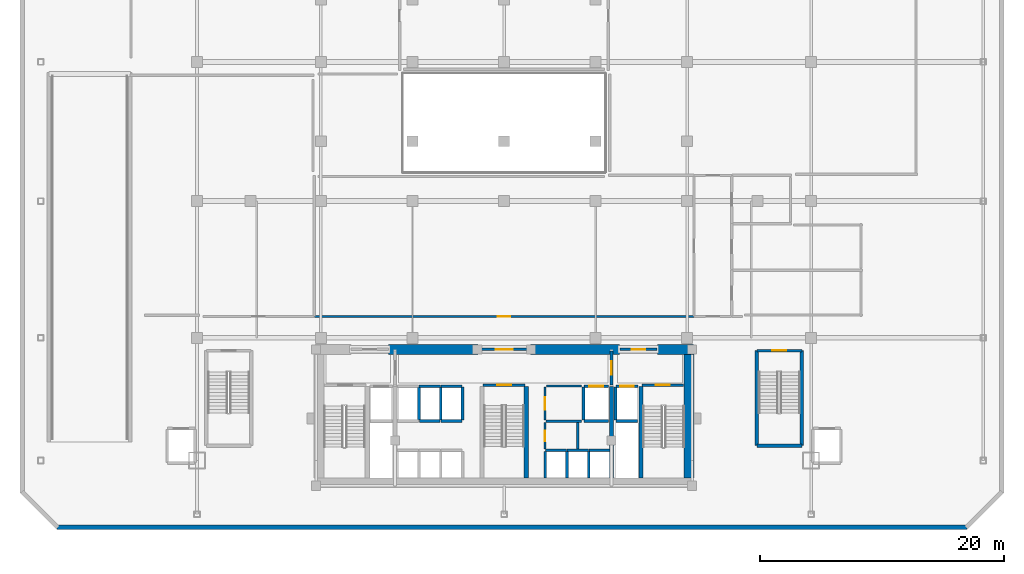
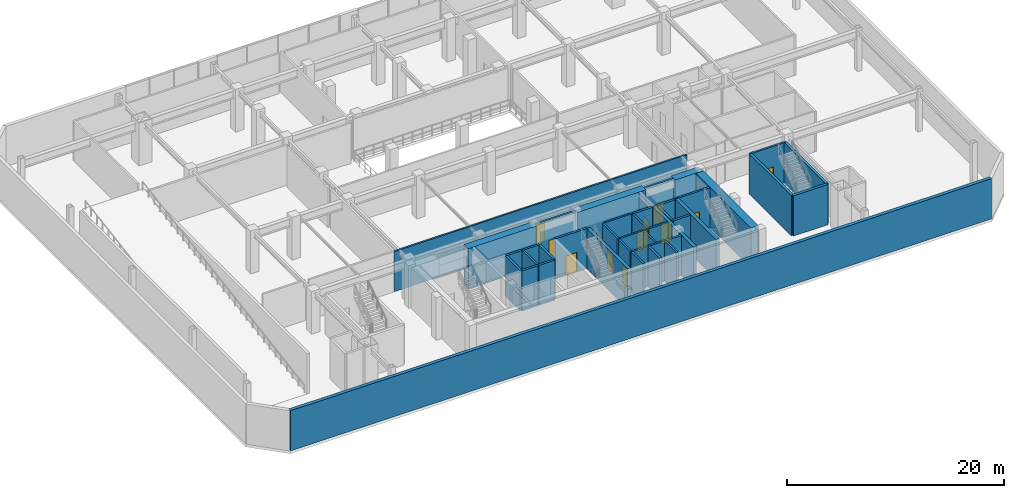
# One storey, part 12 of 16: 42 walls, 11 doors, 11 openings.
"""IFC4 building model written with IfcOpenShell, lengths in metres."""

from ifc_helpers import new_model, si_unit, direction, frame, frame_2d, origin, place, context, subcontext, project, spatial, rectangle, extrude, material, layer, layer_set, type_object, element, fill, save


model = new_model("IFC4")

# Units and contexts
model_context = context("Model", 3, precision=1e-05, world=origin(), true_north=direction((0.0, 1.0)))
body_context = subcontext(model_context, "Body", "Model", "MODEL_VIEW")
ifc_project = project(units=[si_unit("LENGTHUNIT", "METRE"), si_unit("AREAUNIT", "SQUARE_METRE"), si_unit("VOLUMEUNIT", "CUBIC_METRE"), si_unit("PLANEANGLEUNIT", "RADIAN"), si_unit("MASSUNIT", "GRAM", prefix="KILO")], contexts=[model_context])

# Site, building, storey
site_placement = place(None, origin())
site = spatial("IfcSite", under=ifc_project, at=site_placement, CompositionType="ELEMENT")
building_placement = place(site_placement, origin())
building = spatial("IfcBuilding", under=site, at=building_placement, Name="Ventersveld Concourse Tower", CompositionType="ELEMENT")
storey_placement = place(building_placement, frame((0.0, 0.0, 10.199951171875)))
storey = spatial("IfcBuildingStorey", under=building, at=storey_placement, Name="L02", CompositionType="ELEMENT", Elevation=10.199951171875)

# Walls
ifc_material_1 = material(Name="Concrete C60/75", Category="concrete")
ifc_layer_1 = layer(ifc_material_1, 0.35009765625)
ifc_layer_set_1 = layer_set([ifc_layer_1], Name="Concrete C60/75")
wall_type_1 = type_object("IfcWallType", Name="WL-CORE-350L", PredefinedType="SHEAR", material=ifc_layer_set_1)
for number, where, z_axis, x_axis, name in (
    (1, (30.56005859375, 0.919921875, 0.0), (0.0, 0.0, 1.0), (0.0, 1.0, 0.0), "L02 Core Internal Shear Web W-ST3-E"),
    (2, (37.550048828125, 0.919921875, 0.0), (0.0, 0.0, 1.0), (0.0, 1.0, 0.0), "L02 Core Internal Shear Web W-SVL-W"),
    (3, (39.9599609375, 0.919921875, 0.0), (0.0, 0.0, 1.0), (0.0, 1.0, 0.0), "L02 Core Internal Shear Web W-ST2-W"),
):
    element("IfcWall", number, at=place(storey_placement, frame(where, z_axis=z_axis, x_axis=x_axis)), inside=storey, type_object=wall_type_1, Name=name, PredefinedType="SHEAR", context=body_context, shape_type="SweptSolid", body=[
        extrude(rectangle(XDim=7.5, YDim=0.35009765625, at=frame_2d((3.75, 0.0))), origin(), (0.0, 0.0, 1.0), 4.52001953125),
    ])
ifc_layer_2 = layer(ifc_material_1, 0.800048828125)
ifc_layer_set_2 = layer_set([ifc_layer_2], Name="Concrete C60/75")
wall_type_2 = type_object("IfcWallType", Name="WL-CORE-800", PredefinedType="SHEAR", material=ifc_layer_set_2)
wall_1_placement = place(storey_placement, frame((43.89990234375, 0.919921875, 0.0), z_axis=(0.0, 0.0, 1.0), x_axis=(0.0, 1.0, 0.0)))
element("IfcWall", 4, at=wall_1_placement, inside=storey, type_object=wall_type_2, Name="L02 Rear Core East Shear Wall", PredefinedType="SHEAR", context=body_context, shape_type="SweptSolid", body=[
    extrude(rectangle(XDim=10.530029296875, YDim=0.800048828125, at=frame_2d((5.26513671875, 0.0))), origin(), (0.0, 0.0, 1.0), 4.52001953125),
])
for number, where, z_axis, x_axis, name in (
    (5, (19.300048828125, 11.449951171875, 0.0), (0.0, 0.0, 1.0), (1.0, 0.0, 0.0), "L02 Rear Core North Shear Wall NML"),
    (6, (30.89990234375, 11.449951171875, 0.0), (0.0, 0.0, 1.0), (1.0, 0.0, 0.0), "L02 Rear Core North Shear Wall NMR"),
):
    element("IfcWall", number, at=place(storey_placement, frame(where, z_axis=z_axis, x_axis=x_axis)), inside=storey, type_object=wall_type_2, Name=name, PredefinedType="SHEAR", context=body_context, shape_type="SweptSolid", body=[
        extrude(rectangle(XDim=7.300048828125, YDim=0.800048828125, at=frame_2d((3.64990234375, 0.0))), origin(), (0.0, 0.0, 1.0), 4.52001953125),
    ])
wall_2_placement = place(storey_placement, frame((41.300048828125, 11.449951171875, 0.0), z_axis=(0.0, 0.0, 1.0), x_axis=(1.0, 0.0, 0.0)))
element("IfcWall", 7, at=wall_2_placement, inside=storey, type_object=wall_type_2, Name="L02 Rear Core North Shear Wall NE", PredefinedType="SHEAR", context=body_context, shape_type="SweptSolid", body=[
    extrude(rectangle(XDim=2.949951171875, YDim=0.800048828125, at=frame_2d((1.47509765625, 0.0))), origin(), (0.0, 0.0, 1.0), 4.52001953125),
])

# Wall, opening, door
ifc_material_2 = material(Name="Fire-rated autoclaved aerated masonry blockwork", Category="masonry")
ifc_layer_3 = layer(ifc_material_2, 0.179931640625)
ifc_layer_set_3 = layer_set([ifc_layer_3], Name="Fire-rated autoclaved aerated masonry blockwork")
wall_type_3 = type_object("IfcWallType", Name="WL-CORR-180", PredefinedType="PARTITIONING", material=ifc_layer_set_3)
wall_3_placement = place(storey_placement, frame((32.10009765625, 5.64990234375, 0.0), z_axis=(0.0, 0.0, 1.0), x_axis=(0.0, 1.0, 0.0)))
wall_3 = element("IfcWall", 8, at=wall_3_placement, inside=storey, type_object=wall_type_3, Name="L02 Core Passage Wall SP-L02-CBAY1", PredefinedType="PARTITIONING", context=body_context, shape_type="SweptSolid", body=[
    extrude(rectangle(XDim=2.72998046875, YDim=0.179931640625, at=frame_2d((1.364990234375, 0.0))), origin(), (0.0, 0.0, 1.0), 4.52001953125),
])
opening_1_placement = place(wall_3_placement, frame((0.840087890625, 0.0, 0.0)))
opening_1 = element("IfcOpeningElement", 9, at=opening_1_placement, cuts=wall_3, Name="Opening ID3", PredefinedType="OPENING", context=body_context, shape_type="SweptSolid", body=[
    extrude(rectangle(XDim=1.050048828125, YDim=2.14990234375, at=frame_2d((0.52490234375, 1.074951171875))), frame((0.0, 0.10009765625, 0.0), z_axis=(0.0, -1.0, 0.0), x_axis=(1.0, 0.0, 0.0)), (0.0, 0.0, 1.0), 0.199951171875),
])
ifc_material_3 = material(Name="Solid-core hardwood veneer timber", Category="wood")
door_type_1 = type_object("IfcDoorType", Name="DR-AWC-105", OperationType="NOTDEFINED", PredefinedType="DOOR", material=ifc_material_3)
door_1_placement = place(opening_1_placement, origin())
door_1 = element("IfcDoor", 10, at=door_1_placement, inside=storey, type_object=door_type_1, Name="L02 Core Room Door L02 Core Unisex Accessible WC (CD-L02-0107)", OperationType="SINGLE_SWING_RIGHT", OverallHeight=2.14990234375, OverallWidth=1.050048828125, PredefinedType="DOOR", context=body_context, shape_type="SweptSolid", body=[
    extrude(rectangle(XDim=1.050048828125, YDim=2.14990234375, at=frame_2d((0.52490234375, 1.074951171875))), frame((0.0, 0.02490234375, 0.0), z_axis=(0.0, -1.0, 0.0), x_axis=(1.0, 0.0, 0.0)), (0.0, 0.0, 1.0), 0.050048828125),
])
fill(opening_1, door_1)

# Walls
wall_4_placement = place(storey_placement, frame((32.219970703125, 8.4599609375, 0.0), z_axis=(0.0, 0.0, 1.0), x_axis=(1.0, 0.0, 0.0)))
element("IfcWall", 11, at=wall_4_placement, inside=storey, type_object=wall_type_3, Name="L02 Core Top Wall SP-L02-CBAY1", PredefinedType="PARTITIONING", context=body_context, shape_type="SweptSolid", body=[
    extrude(rectangle(XDim=2.880126953125, YDim=0.179931640625, at=frame_2d((1.43994140625, 0.0))), origin(), (0.0, 0.0, 1.0), 4.52001953125),
])
wall_5_placement = place(storey_placement, frame((32.179931640625, 5.570068359375, 0.0), z_axis=(0.0, 0.0, 1.0), x_axis=(1.0, 0.0, 0.0)))
element("IfcWall", 12, at=wall_5_placement, inside=storey, type_object=wall_type_3, Name="L02 Core Bot Wall SP-L02-CBAY1", PredefinedType="PARTITIONING", context=body_context, shape_type="SweptSolid", body=[
    extrude(rectangle(XDim=2.920166015625, YDim=0.179931640625, at=frame_2d((1.4599609375, 0.0))), origin(), (0.0, 0.0, 1.0), 4.52001953125),
])

# Wall, opening, door
wall_6_placement = place(storey_placement, frame((32.10009765625, 3.280029296875, 0.0), z_axis=(0.0, 0.0, 1.0), x_axis=(0.0, 1.0, 0.0)))
wall_6 = element("IfcWall", 13, at=wall_6_placement, inside=storey, type_object=wall_type_3, Name="L02 Core Passage Wall SP-L02-CBAY2", PredefinedType="PARTITIONING", context=body_context, shape_type="SweptSolid", body=[
    extrude(rectangle(XDim=2.169921875, YDim=0.179931640625, at=frame_2d((1.0849609375, 0.0))), origin(), (0.0, 0.0, 1.0), 4.52001953125),
])
opening_2_placement = place(wall_6_placement, frame((0.64501953125, 0.0, 0.0)))
opening_2 = element("IfcOpeningElement", 14, at=opening_2_placement, cuts=wall_6, Name="Opening FD5", PredefinedType="OPENING", context=body_context, shape_type="SweptSolid", body=[
    extrude(rectangle(XDim=0.8798828125, YDim=2.050048828125, at=frame_2d((0.43994140625, 1.02490234375))), frame((0.0, 0.10009765625, 0.0), z_axis=(0.0, -1.0, 0.0), x_axis=(1.0, 0.0, 0.0)), (0.0, 0.0, 1.0), 0.199951171875),
])
ifc_material_4 = material(Name="Galvanised painted steel", Category="steel")
door_type_2 = type_object("IfcDoorType", Name="DR-RISER-088", OperationType="NOTDEFINED", PredefinedType="DOOR", material=ifc_material_4)
door_2_placement = place(opening_2_placement, origin())
door_2 = element("IfcDoor", 15, at=door_2_placement, inside=storey, type_object=door_type_2, Name="L02 Core Room Door L02 Core Beverage Pantry (CD-L02-0108)", OperationType="SINGLE_SWING_LEFT", OverallHeight=2.050048828125, OverallWidth=0.8798828125, PredefinedType="DOOR", context=body_context, shape_type="SweptSolid", body=[
    extrude(rectangle(XDim=0.8798828125, YDim=2.050048828125, at=frame_2d((0.43994140625, 1.02490234375))), frame((0.0, 0.02490234375, 0.0), z_axis=(0.0, -1.0, 0.0), x_axis=(1.0, 0.0, 0.0)), (0.0, 0.0, 1.0), 0.050048828125),
])
fill(opening_2, door_2)

# Wall
wall_7_placement = place(storey_placement, frame((34.780029296875, 3.280029296875, 0.0), z_axis=(0.0, 0.0, 1.0), x_axis=(0.0, 1.0, 0.0)))
element("IfcWall", 16, at=wall_7_placement, inside=storey, type_object=wall_type_3, Name="L02 Core East Wall SP-L02-CBAY2", PredefinedType="PARTITIONING", context=body_context, shape_type="SweptSolid", body=[
    extrude(rectangle(XDim=2.169921875, YDim=0.179931640625, at=frame_2d((1.0849609375, 0.0))), origin(), (0.0, 0.0, 1.0), 4.52001953125),
])

# Wall, opening, door
wall_8_placement = place(storey_placement, frame((13.205078125, 14.14990234375, 0.0), z_axis=(0.0, 0.0, 1.0), x_axis=(1.0, 0.0, 0.0)))
wall_8 = element("IfcWall", 17, at=wall_8_placement, inside=storey, type_object=wall_type_3, Name="L02 Interior Partition SP-L02-COR-SP-L02-OFFC", PredefinedType="PARTITIONING", context=body_context, shape_type="SweptSolid", body=[
    extrude(rectangle(XDim=31.08984375, YDim=0.179931640625, at=frame_2d((15.544921875, 0.0))), origin(), (0.0, 0.0, 1.0), 4.52001953125),
])
opening_3_placement = place(wall_8_placement, frame((15.044921875, 0.0, 0.0)))
opening_3 = element("IfcOpeningElement", 18, at=opening_3_placement, cuts=wall_8, Name="Opening FD3", PredefinedType="OPENING", context=body_context, shape_type="SweptSolid", body=[
    extrude(rectangle(XDim=1.0, YDim=2.14990234375, at=frame_2d((0.5, 1.074951171875))), frame((0.0, 0.10009765625, 0.0), z_axis=(0.0, -1.0, 0.0), x_axis=(1.0, 0.0, 0.0)), (0.0, 0.0, 1.0), 0.199951171875),
])
door_type_3 = type_object("IfcDoorType", Name="DR-FLAT-100", OperationType="NOTDEFINED", PredefinedType="DOOR", material=ifc_material_3)
door_3_placement = place(opening_3_placement, origin())
door_3 = element("IfcDoor", 19, at=door_3_placement, inside=storey, type_object=door_type_3, Name="L02 Interior Door SP-L02-COR to SP-L02-OFFC (D-L02-0109)", OperationType="SINGLE_SWING_LEFT", OverallHeight=2.14990234375, OverallWidth=1.0, PredefinedType="DOOR", context=body_context, shape_type="SweptSolid", body=[
    extrude(rectangle(XDim=1.0, YDim=2.14990234375, at=frame_2d((0.5, 1.074951171875))), frame((0.0, 0.02490234375, 0.0), z_axis=(0.0, -1.0, 0.0), x_axis=(1.0, 0.0, 0.0)), (0.0, 0.0, 1.0), 0.050048828125),
])
fill(opening_3, door_3)

# Walls
ifc_layer_4 = layer(ifc_material_2, 0.219970703125)
ifc_layer_set_4 = layer_set([ifc_layer_4], Name="Fire-rated autoclaved aerated masonry blockwork")
wall_type_4 = type_object("IfcWallType", Name="WL-HOIST-220", PredefinedType="SOLIDWALL", material=ifc_layer_set_4)
wall_9_placement = place(storey_placement, frame((37.919921875, 5.590087890625, 0.0), z_axis=(0.0, 0.0, 1.0), x_axis=(1.0, 0.0, 0.0)))
element("IfcWall", 20, at=wall_9_placement, inside=storey, type_object=wall_type_4, Name="L02 Lift Hoistway Back Wall FFL-02", PredefinedType="SOLIDWALL", context=body_context, shape_type="SweptSolid", body=[
    extrude(rectangle(XDim=1.780029296875, YDim=0.219970703125, at=frame_2d((0.89013671875, 0.0))), origin(), (0.0, 0.0, 1.0), 4.52001953125),
])
wall_10_placement = place(storey_placement, frame((37.8798828125, 5.64990234375, 0.0), z_axis=(0.0, 0.0, 1.0), x_axis=(0.0, 1.0, 0.0)))
element("IfcWall", 21, at=wall_10_placement, inside=storey, type_object=wall_type_4, Name="L02 Lift Hoistway Side Wall FFL-02W", PredefinedType="SOLIDWALL", context=body_context, shape_type="SweptSolid", body=[
    extrude(rectangle(XDim=2.7001953125, YDim=0.219970703125, at=frame_2d((1.35009765625, 0.0))), origin(), (0.0, 0.0, 1.0), 4.52001953125),
])

# Wall, opening, door
wall_11_placement = place(storey_placement, frame((37.89990234375, 8.429931640625, 0.0), z_axis=(0.0, 0.0, 1.0), x_axis=(1.0, 0.0, 0.0)))
wall_11 = element("IfcWall", 22, at=wall_11_placement, inside=storey, type_object=wall_type_4, Name="L02 Lift Hoistway Front Wall FFL-02", PredefinedType="SOLIDWALL", context=body_context, shape_type="SweptSolid", body=[
    extrude(rectangle(XDim=1.820068359375, YDim=0.219970703125, at=frame_2d((0.91015625, 0.0))), origin(), (0.0, 0.0, 1.0), 4.52001953125),
])
opening_4_placement = place(wall_11_placement, frame((0.35009765625, 0.0, 0.0)))
opening_4 = element("IfcOpeningElement", 23, at=opening_4_placement, cuts=wall_11, Name="Opening LD1", PredefinedType="OPENING", context=body_context, shape_type="SweptSolid", body=[
    extrude(rectangle(XDim=1.1201171875, YDim=2.25, at=frame_2d((0.56005859375, 1.125))), frame((0.0, 0.1201171875, 0.0), z_axis=(0.0, -1.0, 0.0), x_axis=(1.0, 0.0, 0.0)), (0.0, 0.0, 1.0), 0.239990234375),
])
ifc_material_5 = material(Name="Brushed stainless steel 316", Category="steel")
door_type_4 = type_object("IfcDoorType", Name="LD-FF-112", OperationType="SLIDING_TO_LEFT", PredefinedType="DOOR", material=ifc_material_5)
door_4_placement = place(opening_4_placement, origin())
door_4 = element("IfcDoor", 24, at=door_4_placement, inside=storey, type_object=door_type_4, Name="L02 Lift landing door FFL-02 (LD-L02-FFL-02)", OperationType="SLIDING_TO_LEFT", OverallHeight=2.25, OverallWidth=1.1201171875, PredefinedType="DOOR", context=body_context, shape_type="SweptSolid", body=[
    extrude(rectangle(XDim=1.1201171875, YDim=2.25, at=frame_2d((0.56005859375, 1.125))), frame((0.0, 0.02490234375, 0.0), z_axis=(0.0, -1.0, 0.0), x_axis=(1.0, 0.0, 0.0)), (0.0, 0.0, 1.0), 0.050048828125),
])
fill(opening_4, door_4)

# Walls
wall_12_placement = place(storey_placement, frame((35.300048828125, 5.590087890625, 0.0), z_axis=(0.0, 0.0, 1.0), x_axis=(1.0, 0.0, 0.0)))
element("IfcWall", 25, at=wall_12_placement, inside=storey, type_object=wall_type_4, Name="L02 Lift Hoistway Back Wall SVL-01", PredefinedType="SOLIDWALL", context=body_context, shape_type="SweptSolid", body=[
    extrude(rectangle(XDim=2.0, YDim=0.219970703125, at=frame_2d((1.0, 0.0))), origin(), (0.0, 0.0, 1.0), 4.52001953125),
])
wall_13_placement = place(storey_placement, frame((35.260009765625, 5.64990234375, 0.0), z_axis=(0.0, 0.0, 1.0), x_axis=(0.0, 1.0, 0.0)))
element("IfcWall", 26, at=wall_13_placement, inside=storey, type_object=wall_type_4, Name="L02 Lift Hoistway Side Wall SVL-01W", PredefinedType="SOLIDWALL", context=body_context, shape_type="SweptSolid", body=[
    extrude(rectangle(XDim=2.7001953125, YDim=0.219970703125, at=frame_2d((1.35009765625, 0.0))), origin(), (0.0, 0.0, 1.0), 4.52001953125),
])

# Wall, opening, door
wall_14_placement = place(storey_placement, frame((35.280029296875, 8.429931640625, 0.0), z_axis=(0.0, 0.0, 1.0), x_axis=(1.0, 0.0, 0.0)))
wall_14 = element("IfcWall", 27, at=wall_14_placement, inside=storey, type_object=wall_type_4, Name="L02 Lift Hoistway Front Wall SVL-01", PredefinedType="SOLIDWALL", context=body_context, shape_type="SweptSolid", body=[
    extrude(rectangle(XDim=2.0400390625, YDim=0.219970703125, at=frame_2d((1.02001953125, 0.0))), origin(), (0.0, 0.0, 1.0), 4.52001953125),
])
opening_5_placement = place(wall_14_placement, frame((0.429931640625, 0.0, 0.0)))
opening_5 = element("IfcOpeningElement", 28, at=opening_5_placement, cuts=wall_14, Name="Opening LD2", PredefinedType="OPENING", context=body_context, shape_type="SweptSolid", body=[
    extrude(rectangle(XDim=1.179931640625, YDim=2.199951171875, at=frame_2d((0.58984375, 1.10009765625))), frame((0.0, 0.1201171875, 0.0), z_axis=(0.0, -1.0, 0.0), x_axis=(1.0, 0.0, 0.0)), (0.0, 0.0, 1.0), 0.239990234375),
])
door_type_5 = type_object("IfcDoorType", Name="LD-PAX-118", OperationType="SLIDING_TO_LEFT", PredefinedType="DOOR", material=ifc_material_5)
door_5_placement = place(opening_5_placement, origin())
door_5 = element("IfcDoor", 29, at=door_5_placement, inside=storey, type_object=door_type_5, Name="L02 Lift landing door SVL-01 (LD-L02-SVL-01)", OperationType="SLIDING_TO_RIGHT", OverallHeight=2.199951171875, OverallWidth=1.179931640625, PredefinedType="DOOR", context=body_context, shape_type="SweptSolid", body=[
    extrude(rectangle(XDim=1.179931640625, YDim=2.199951171875, at=frame_2d((0.58984375, 1.10009765625))), frame((0.0, 0.02490234375, 0.0), z_axis=(0.0, -1.0, 0.0), x_axis=(1.0, 0.0, 0.0)), (0.0, 0.0, 1.0), 0.050048828125),
])
fill(opening_5, door_5)

# Walls
for number, where, z_axis, x_axis, name in (
    (30, (32.1201171875, 0.89990234375, 0.0), (0.0, 0.0, 1.0), (0.0, 1.0, 0.0), "L02 Lift Hoistway Side Wall PM-01W"),
    (31, (33.89990234375, 0.89990234375, 0.0), (0.0, 0.0, 1.0), (0.0, 1.0, 0.0), "L02 Lift Hoistway Side Wall PM-01E"),
):
    element("IfcWall", number, at=place(storey_placement, frame(where, z_axis=z_axis, x_axis=x_axis)), inside=storey, type_object=wall_type_4, Name=name, PredefinedType="SOLIDWALL", context=body_context, shape_type="SweptSolid", body=[
        extrude(rectangle(XDim=2.2001953125, YDim=0.219970703125, at=frame_2d((1.10009765625, 0.0))), origin(), (0.0, 0.0, 1.0), 4.52001953125),
    ])
wall_15_placement = place(storey_placement, frame((32.139892578125, 3.179931640625, 0.0), z_axis=(0.0, 0.0, 1.0), x_axis=(1.0, 0.0, 0.0)))
element("IfcWall", 32, at=wall_15_placement, inside=storey, type_object=wall_type_4, Name="L02 Lift Hoistway Front Wall PM-01", PredefinedType="SOLIDWALL", context=body_context, shape_type="SweptSolid", body=[
    extrude(rectangle(XDim=1.739990234375, YDim=0.219970703125, at=frame_2d((0.8701171875, 0.0))), origin(), (0.0, 0.0, 1.0), 4.52001953125),
])
wall_16_placement = place(storey_placement, frame((35.679931640625, 0.89990234375, 0.0), z_axis=(0.0, 0.0, 1.0), x_axis=(0.0, 1.0, 0.0)))
element("IfcWall", 33, at=wall_16_placement, inside=storey, type_object=wall_type_4, Name="L02 Lift Hoistway Side Wall PM-02E", PredefinedType="SOLIDWALL", context=body_context, shape_type="SweptSolid", body=[
    extrude(rectangle(XDim=2.2001953125, YDim=0.219970703125, at=frame_2d((1.10009765625, 0.0))), origin(), (0.0, 0.0, 1.0), 4.52001953125),
])
for number, where, z_axis, x_axis, name in (
    (34, (33.919921875, 3.179931640625, 0.0), (0.0, 0.0, 1.0), (1.0, 0.0, 0.0), "L02 Lift Hoistway Front Wall PM-02"),
    (35, (35.699951171875, 3.179931640625, 0.0), (0.0, 0.0, 1.0), (1.0, 0.0, 0.0), "L02 Lift Hoistway Front Wall PM-03"),
):
    element("IfcWall", number, at=place(storey_placement, frame(where, z_axis=z_axis, x_axis=x_axis)), inside=storey, type_object=wall_type_4, Name=name, PredefinedType="SOLIDWALL", context=body_context, shape_type="SweptSolid", body=[
        extrude(rectangle(XDim=1.739990234375, YDim=0.219970703125, at=frame_2d((0.8701171875, 0.0))), origin(), (0.0, 0.0, 1.0), 4.52001953125),
    ])
wall_17_placement = place(storey_placement, frame((21.780029296875, 5.64990234375, 0.0), z_axis=(0.0, 0.0, 1.0), x_axis=(0.0, 1.0, 0.0)))
element("IfcWall", 36, at=wall_17_placement, inside=storey, type_object=wall_type_4, Name="L02 Lift Hoistway Side Wall PH-01E", PredefinedType="SOLIDWALL", context=body_context, shape_type="SweptSolid", body=[
    extrude(rectangle(XDim=2.7001953125, YDim=0.219970703125, at=frame_2d((1.35009765625, 0.0))), origin(), (0.0, 0.0, 1.0), 4.52001953125),
])
wall_18_placement = place(storey_placement, frame((21.820068359375, 5.590087890625, 0.0), z_axis=(0.0, 0.0, 1.0), x_axis=(1.0, 0.0, 0.0)))
element("IfcWall", 37, at=wall_18_placement, inside=storey, type_object=wall_type_4, Name="L02 Lift Hoistway Back Wall PH-02", PredefinedType="SOLIDWALL", context=body_context, shape_type="SweptSolid", body=[
    extrude(rectangle(XDim=1.699951171875, YDim=0.219970703125, at=frame_2d((0.85009765625, 0.0))), origin(), (0.0, 0.0, 1.0), 4.52001953125),
])
wall_19_placement = place(storey_placement, frame((23.56005859375, 5.64990234375, 0.0), z_axis=(0.0, 0.0, 1.0), x_axis=(0.0, 1.0, 0.0)))
element("IfcWall", 38, at=wall_19_placement, inside=storey, type_object=wall_type_4, Name="L02 Lift Hoistway Side Wall PH-02E", PredefinedType="SOLIDWALL", context=body_context, shape_type="SweptSolid", body=[
    extrude(rectangle(XDim=2.7001953125, YDim=0.219970703125, at=frame_2d((1.35009765625, 0.0))), origin(), (0.0, 0.0, 1.0), 4.52001953125),
])
wall_20_placement = place(storey_placement, frame((21.800048828125, 8.429931640625, 0.0), z_axis=(0.0, 0.0, 1.0), x_axis=(1.0, 0.0, 0.0)))
element("IfcWall", 39, at=wall_20_placement, inside=storey, type_object=wall_type_4, Name="L02 Lift Hoistway Front Wall PH-02", PredefinedType="SOLIDWALL", context=body_context, shape_type="SweptSolid", body=[
    extrude(rectangle(XDim=1.739990234375, YDim=0.219970703125, at=frame_2d((0.8701171875, 0.0))), origin(), (0.0, 0.0, 1.0), 4.52001953125),
])
wall_21_placement = place(storey_placement, frame((23.60009765625, 5.590087890625, 0.0), z_axis=(0.0, 0.0, 1.0), x_axis=(1.0, 0.0, 0.0)))
element("IfcWall", 40, at=wall_21_placement, inside=storey, type_object=wall_type_4, Name="L02 Lift Hoistway Back Wall PH-03", PredefinedType="SOLIDWALL", context=body_context, shape_type="SweptSolid", body=[
    extrude(rectangle(XDim=1.699951171875, YDim=0.219970703125, at=frame_2d((0.85009765625, 0.0))), origin(), (0.0, 0.0, 1.0), 4.52001953125),
])
wall_22_placement = place(storey_placement, frame((25.340087890625, 5.64990234375, 0.0), z_axis=(0.0, 0.0, 1.0), x_axis=(0.0, 1.0, 0.0)))
element("IfcWall", 41, at=wall_22_placement, inside=storey, type_object=wall_type_4, Name="L02 Lift Hoistway Side Wall PH-03E", PredefinedType="SOLIDWALL", context=body_context, shape_type="SweptSolid", body=[
    extrude(rectangle(XDim=2.7001953125, YDim=0.219970703125, at=frame_2d((1.35009765625, 0.0))), origin(), (0.0, 0.0, 1.0), 4.52001953125),
])
wall_23_placement = place(storey_placement, frame((23.580078125, 8.429931640625, 0.0), z_axis=(0.0, 0.0, 1.0), x_axis=(1.0, 0.0, 0.0)))
element("IfcWall", 42, at=wall_23_placement, inside=storey, type_object=wall_type_4, Name="L02 Lift Hoistway Front Wall PH-03", PredefinedType="SOLIDWALL", context=body_context, shape_type="SweptSolid", body=[
    extrude(rectangle(XDim=1.739990234375, YDim=0.219970703125, at=frame_2d((0.8701171875, 0.0))), origin(), (0.0, 0.0, 1.0), 4.52001953125),
])

# Wall, opening, door
wall_24_placement = place(storey_placement, frame((40.06005859375, 8.52001953125, 0.0), z_axis=(0.0, 0.0, 1.0), x_axis=(1.0, 0.0, 0.0)))
wall_24 = element("IfcWall", 43, at=wall_24_placement, inside=storey, type_object=wall_type_4, Name="L02 Escape Stair ST02 Fire Wall", PredefinedType="SOLIDWALL", context=body_context, shape_type="SweptSolid", body=[
    extrude(rectangle(XDim=3.39990234375, YDim=0.219970703125, at=frame_2d((1.699951171875, 0.0))), origin(), (0.0, 0.0, 1.0), 4.52001953125),
])
opening_6_placement = place(wall_24_placement, frame((1.125, 0.0, 0.0)))
opening_6 = element("IfcOpeningElement", 44, at=opening_6_placement, cuts=wall_24, Name="Opening FD1", PredefinedType="OPENING", context=body_context, shape_type="SweptSolid", body=[
    extrude(rectangle(XDim=1.14990234375, YDim=2.199951171875, at=frame_2d((0.574951171875, 1.10009765625))), frame((0.0, 0.1201171875, 0.0), z_axis=(0.0, -1.0, 0.0), x_axis=(1.0, 0.0, 0.0)), (0.0, 0.0, 1.0), 0.239990234375),
])
door_type_6 = type_object("IfcDoorType", Name="DR-STAIR-115", OperationType="NOTDEFINED", PredefinedType="DOOR", material=ifc_material_4)
door_6_placement = place(opening_6_placement, origin())
door_6 = element("IfcDoor", 45, at=door_6_placement, inside=storey, type_object=door_type_6, Name="L02 Escape Stair Door ST02 (SD-L02-0098)", OperationType="SINGLE_SWING_RIGHT", OverallHeight=2.199951171875, OverallWidth=1.14990234375, PredefinedType="DOOR", context=body_context, shape_type="SweptSolid", body=[
    extrude(rectangle(XDim=1.14990234375, YDim=2.199951171875, at=frame_2d((0.574951171875, 1.10009765625))), frame((0.0, 0.02490234375, 0.0), z_axis=(0.0, -1.0, 0.0), x_axis=(1.0, 0.0, 0.0)), (0.0, 0.0, 1.0), 0.050048828125),
])
fill(opening_6, door_6)

wall_25_placement = place(storey_placement, frame((27.0400390625, 8.52001953125, 0.0), z_axis=(0.0, 0.0, 1.0), x_axis=(1.0, 0.0, 0.0)))
wall_25 = element("IfcWall", 46, at=wall_25_placement, inside=storey, type_object=wall_type_4, Name="L02 Escape Stair ST03 Fire Wall", PredefinedType="SOLIDWALL", context=body_context, shape_type="SweptSolid", body=[
    extrude(rectangle(XDim=3.419921875, YDim=0.219970703125, at=frame_2d((1.7099609375, 0.0))), origin(), (0.0, 0.0, 1.0), 4.52001953125),
])
opening_7_placement = place(wall_25_placement, frame((1.135009765625, 0.0, 0.0)))
opening_7 = element("IfcOpeningElement", 47, at=opening_7_placement, cuts=wall_25, Name="Opening FD1", PredefinedType="OPENING", context=body_context, shape_type="SweptSolid", body=[
    extrude(rectangle(XDim=1.14990234375, YDim=2.199951171875, at=frame_2d((0.574951171875, 1.10009765625))), frame((0.0, 0.1201171875, 0.0), z_axis=(0.0, -1.0, 0.0), x_axis=(1.0, 0.0, 0.0)), (0.0, 0.0, 1.0), 0.239990234375),
])
door_7_placement = place(opening_7_placement, origin())
door_7 = element("IfcDoor", 48, at=door_7_placement, inside=storey, type_object=door_type_6, Name="L02 Escape Stair Door ST03 (SD-L02-0099)", OperationType="SINGLE_SWING_LEFT", OverallHeight=2.199951171875, OverallWidth=1.14990234375, PredefinedType="DOOR", context=body_context, shape_type="SweptSolid", body=[
    extrude(rectangle(XDim=1.14990234375, YDim=2.199951171875, at=frame_2d((0.574951171875, 1.10009765625))), frame((0.0, 0.02490234375, 0.0), z_axis=(0.0, -1.0, 0.0), x_axis=(1.0, 0.0, 0.0)), (0.0, 0.0, 1.0), 0.050048828125),
])
fill(opening_7, door_7)

wall_26_placement = place(storey_placement, frame((49.4599609375, 11.35009765625, 0.0), z_axis=(0.0, 0.0, 1.0), x_axis=(1.0, 0.0, 0.0)))
wall_26 = element("IfcWall", 49, at=wall_26_placement, inside=storey, type_object=wall_type_4, Name="L02 Escape Stair ST05 Fire Wall", PredefinedType="SOLIDWALL", context=body_context, shape_type="SweptSolid", body=[
    extrude(rectangle(XDim=3.679931640625, YDim=0.219970703125, at=frame_2d((1.83984375, 0.0))), origin(), (0.0, 0.0, 1.0), 4.52001953125),
])
opening_8_placement = place(wall_26_placement, frame((1.264892578125, 0.0, 0.0)))
opening_8 = element("IfcOpeningElement", 50, at=opening_8_placement, cuts=wall_26, Name="Opening FD1", PredefinedType="OPENING", context=body_context, shape_type="SweptSolid", body=[
    extrude(rectangle(XDim=1.14990234375, YDim=2.199951171875, at=frame_2d((0.574951171875, 1.10009765625))), frame((0.0, 0.1201171875, 0.0), z_axis=(0.0, -1.0, 0.0), x_axis=(1.0, 0.0, 0.0)), (0.0, 0.0, 1.0), 0.239990234375),
])
door_8_placement = place(opening_8_placement, origin())
door_8 = element("IfcDoor", 51, at=door_8_placement, inside=storey, type_object=door_type_6, Name="L02 Escape Stair Door ST05 (SD-L02-0101)", OperationType="SINGLE_SWING_LEFT", OverallHeight=2.199951171875, OverallWidth=1.14990234375, PredefinedType="DOOR", context=body_context, shape_type="SweptSolid", body=[
    extrude(rectangle(XDim=1.14990234375, YDim=2.199951171875, at=frame_2d((0.574951171875, 1.10009765625))), frame((0.0, 0.02490234375, 0.0), z_axis=(0.0, -1.0, 0.0), x_axis=(1.0, 0.0, 0.0)), (0.0, 0.0, 1.0), 0.050048828125),
])
fill(opening_8, door_8)

wall_27_placement = place(storey_placement, frame((37.550048828125, 8.52001953125, 0.0), z_axis=(0.0, 0.0, 1.0), x_axis=(0.0, 1.0, 0.0)))
wall_27 = element("IfcWall", 52, at=wall_27_placement, inside=storey, type_object=wall_type_4, Name="L02 Firefighting Lobby Smoke-Stop Wall FFLE-SEP", PredefinedType="SOLIDWALL", context=body_context, shape_type="SweptSolid", body=[
    extrude(rectangle(XDim=2.800048828125, YDim=0.219970703125, at=frame_2d((1.39990234375, 0.0))), origin(), (0.0, 0.0, 1.0), 3.9755859375),
])
opening_9_placement = place(wall_27_placement, frame((0.85009765625, 0.0, 0.0)))
opening_9 = element("IfcOpeningElement", 53, at=opening_9_placement, cuts=wall_27, Name="Opening FD2", PredefinedType="OPENING", context=body_context, shape_type="SweptSolid", body=[
    extrude(rectangle(XDim=1.10009765625, YDim=2.199951171875, at=frame_2d((0.550048828125, 1.10009765625))), frame((0.0, 0.1201171875, 0.0), z_axis=(0.0, -1.0, 0.0), x_axis=(1.0, 0.0, 0.0)), (0.0, 0.0, 1.0), 0.239990234375),
])
door_type_7 = type_object("IfcDoorType", Name="DR-FFL-110", OperationType="NOTDEFINED", PredefinedType="DOOR", material=ifc_material_4)
door_9_placement = place(opening_9_placement, origin())
door_9 = element("IfcDoor", 54, at=door_9_placement, inside=storey, type_object=door_type_7, Name="L02 Firefighting Lobby Door FFLE-SEP (FD-L02-0103)", OperationType="SINGLE_SWING_RIGHT", OverallHeight=2.199951171875, OverallWidth=1.10009765625, PredefinedType="DOOR", context=body_context, shape_type="SweptSolid", body=[
    extrude(rectangle(XDim=1.10009765625, YDim=2.199951171875, at=frame_2d((0.550048828125, 1.10009765625))), frame((0.0, 0.02490234375, 0.0), z_axis=(0.0, -1.0, 0.0), x_axis=(1.0, 0.0, 0.0)), (0.0, 0.0, 1.0), 0.050048828125),
])
fill(opening_9, door_9)

wall_28_placement = place(storey_placement, frame((26.6298828125, 11.449951171875, 0.0), z_axis=(0.0, 0.0, 1.0), x_axis=(1.0, 0.0, 0.0)))
wall_28 = element("IfcWall", 55, at=wall_28_placement, inside=storey, type_object=wall_type_4, Name="L02 Core North Fire Portal PLOB-OUT", PredefinedType="SOLIDWALL", context=body_context, shape_type="SweptSolid", body=[
    extrude(rectangle(XDim=4.240234375, YDim=0.219970703125, at=frame_2d((2.1201171875, 0.0))), origin(), (0.0, 0.0, 1.0), 4.52001953125),
])
opening_10_placement = place(wall_28_placement, frame((1.419921875, 0.0, 0.0)))
opening_10 = element("IfcOpeningElement", 56, at=opening_10_placement, cuts=wall_28, Name="Opening FD4", PredefinedType="OPENING", context=body_context, shape_type="SweptSolid", body=[
    extrude(rectangle(XDim=1.39990234375, YDim=2.199951171875, at=frame_2d((0.699951171875, 1.10009765625))), frame((0.0, 0.1201171875, 0.0), z_axis=(0.0, -1.0, 0.0), x_axis=(1.0, 0.0, 0.0)), (0.0, 0.0, 1.0), 0.239990234375),
])
door_type_8 = type_object("IfcDoorType", Name="DR-PLANT-140", OperationType="DOUBLE_DOOR_SINGLE_SWING", PredefinedType="DOOR", material=ifc_material_4)
door_10_placement = place(opening_10_placement, origin())
door_10 = element("IfcDoor", 57, at=door_10_placement, inside=storey, type_object=door_type_8, Name="L02 Core Lobby Fire Door PLOB-OUT (FD-L02-0105)", OperationType="DOUBLE_DOOR_SINGLE_SWING", OverallHeight=2.199951171875, OverallWidth=1.39990234375, PredefinedType="DOOR", context=body_context, shape_type="SweptSolid", body=[
    extrude(rectangle(XDim=1.39990234375, YDim=2.199951171875, at=frame_2d((0.699951171875, 1.10009765625))), frame((0.0, 0.02490234375, 0.0), z_axis=(0.0, -1.0, 0.0), x_axis=(1.0, 0.0, 0.0)), (0.0, 0.0, 1.0), 0.050048828125),
])
fill(opening_10, door_10)

wall_29_placement = place(storey_placement, frame((38.22998046875, 11.449951171875, 0.0), z_axis=(0.0, 0.0, 1.0), x_axis=(1.0, 0.0, 0.0)))
wall_29 = element("IfcWall", 58, at=wall_29_placement, inside=storey, type_object=wall_type_4, Name="L02 Core North Fire Portal FFLE-OUT", PredefinedType="SOLIDWALL", context=body_context, shape_type="SweptSolid", body=[
    extrude(rectangle(XDim=3.0400390625, YDim=0.219970703125, at=frame_2d((1.52001953125, 0.0))), origin(), (0.0, 0.0, 1.0), 4.52001953125),
])
opening_11_placement = place(wall_29_placement, frame((0.969970703125, 0.0, 0.0)))
opening_11 = element("IfcOpeningElement", 59, at=opening_11_placement, cuts=wall_29, Name="Opening FD2", PredefinedType="OPENING", context=body_context, shape_type="SweptSolid", body=[
    extrude(rectangle(XDim=1.10009765625, YDim=2.199951171875, at=frame_2d((0.550048828125, 1.10009765625))), frame((0.0, 0.1201171875, 0.0), z_axis=(0.0, -1.0, 0.0), x_axis=(1.0, 0.0, 0.0)), (0.0, 0.0, 1.0), 0.239990234375),
])
door_11_placement = place(opening_11_placement, origin())
door_11 = element("IfcDoor", 60, at=door_11_placement, inside=storey, type_object=door_type_7, Name="L02 Core Lobby Fire Door FFLE-OUT (FD-L02-0106)", OperationType="SINGLE_SWING_LEFT", OverallHeight=2.199951171875, OverallWidth=1.10009765625, PredefinedType="DOOR", context=body_context, shape_type="SweptSolid", body=[
    extrude(rectangle(XDim=1.10009765625, YDim=2.199951171875, at=frame_2d((0.550048828125, 1.10009765625))), frame((0.0, 0.02490234375, 0.0), z_axis=(0.0, -1.0, 0.0), x_axis=(1.0, 0.0, 0.0)), (0.0, 0.0, 1.0), 0.050048828125),
])
fill(opening_11, door_11)

# Walls
ifc_material_6 = material(Name="Precast concrete C45/55", Category="concrete")
ifc_layer_5 = layer(ifc_material_6, 0.35009765625)
ifc_layer_set_5 = layer_set([ifc_layer_5], Name="Precast concrete C45/55")
wall_type_5 = type_object("IfcWallType", Name="WL-PREC-350", PredefinedType="SOLIDWALL", material=ifc_layer_set_5)
wall_30_placement = place(storey_placement, frame((-7.860107421875, -3.1201171875, 0.0), z_axis=(0.0, 0.0, 1.0), x_axis=(1.0, 0.0, 0.0)))
element("IfcWall", 61, at=wall_30_placement, inside=storey, type_object=wall_type_5, Name="L02 Podium Precast Perimeter Wall 01", PredefinedType="SOLIDWALL", context=body_context, shape_type="SweptSolid", body=[
    extrude(rectangle(XDim=74.52001953125, YDim=0.35009765625, at=frame_2d((37.260009765625, 0.0))), origin(), (0.0, 0.0, 1.0), 4.52001953125),
])
ifc_material_7 = material(Name="Concrete C50/60", Category="concrete")
ifc_layer_6 = layer(ifc_material_7, 0.280029296875)
ifc_layer_set_6 = layer_set([ifc_layer_6], Name="Concrete C50/60")
wall_type_6 = type_object("IfcWallType", Name="WL-SHAFT-280", PredefinedType="SHEAR", material=ifc_layer_set_6)
wall_31_placement = place(storey_placement, frame((49.4599609375, 3.56005859375, 0.0), z_axis=(0.0, 0.0, 1.0), x_axis=(1.0, 0.0, 0.0)))
element("IfcWall", 62, at=wall_31_placement, inside=storey, type_object=wall_type_6, Name="L02 ST05 Structural Shaft Wall S", PredefinedType="SHEAR", context=body_context, shape_type="SweptSolid", body=[
    extrude(rectangle(XDim=3.679931640625, YDim=0.280029296875, at=frame_2d((1.83984375, 0.0))), origin(), (0.0, 0.0, 1.0), 4.52001953125),
])
for number, where, z_axis, x_axis, name in (
    (63, (49.4599609375, 3.56005859375, 0.0), (0.0, 0.0, 1.0), (0.0, 1.0, 0.0), "L02 ST05 Structural Shaft Wall W"),
    (64, (53.139892578125, 3.56005859375, 0.0), (0.0, 0.0, 1.0), (0.0, 1.0, 0.0), "L02 ST05 Structural Shaft Wall E"),
):
    element("IfcWall", number, at=place(storey_placement, frame(where, z_axis=z_axis, x_axis=x_axis)), inside=storey, type_object=wall_type_6, Name=name, PredefinedType="SHEAR", context=body_context, shape_type="SweptSolid", body=[
        extrude(rectangle(XDim=7.7900390625, YDim=0.280029296875, at=frame_2d((3.89501953125, 0.0))), origin(), (0.0, 0.0, 1.0), 4.52001953125),
    ])

save(model, "model.ifc")
